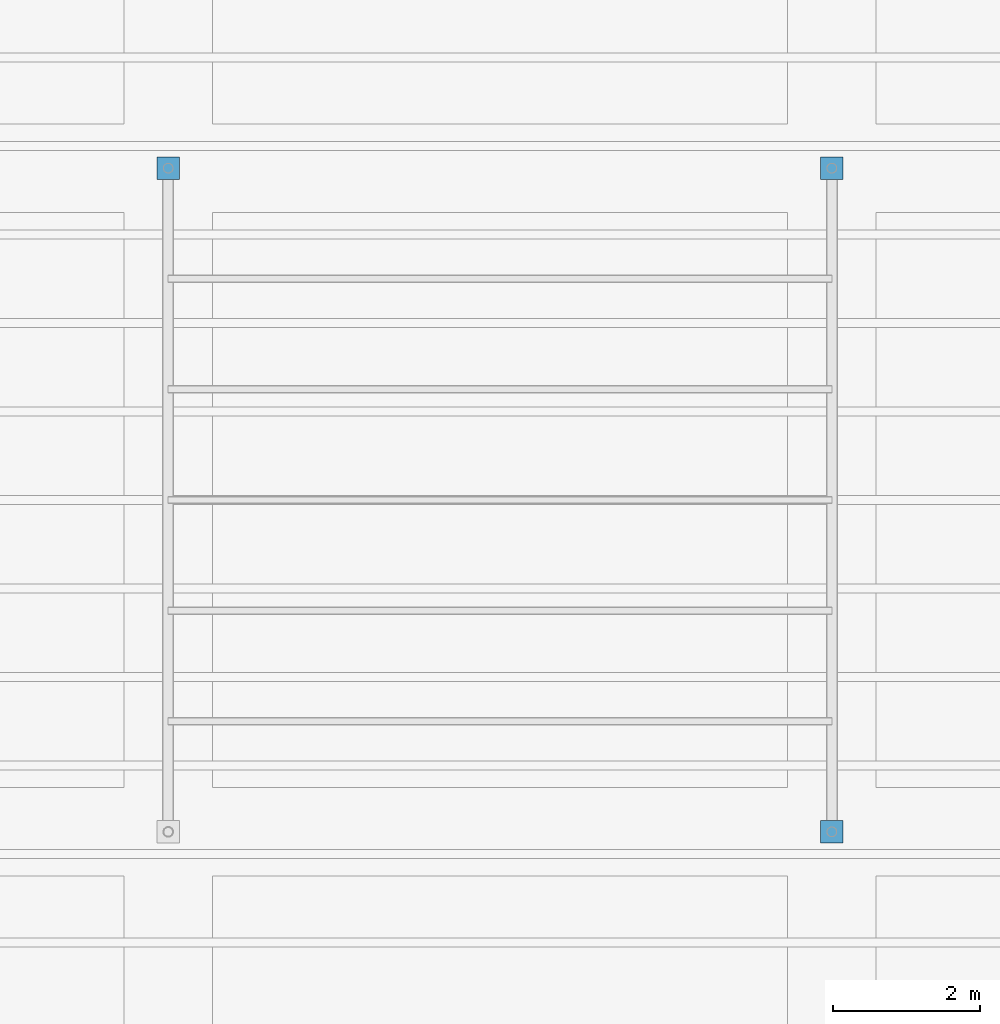
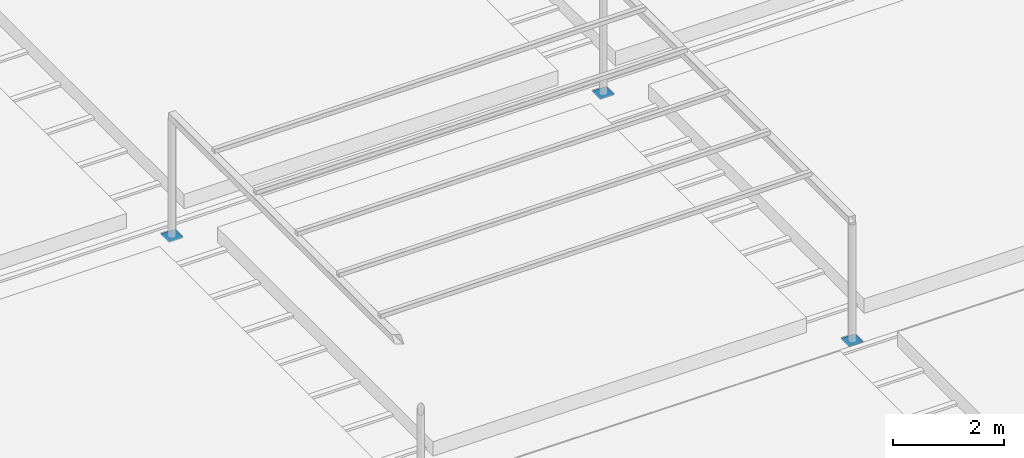
# One storey, part 130 of 153: 3 discrete accessories.
"""IFC4 building model written with IfcOpenShell, lengths in metres."""

from ifc_helpers import new_model, si_unit, direction, frame, origin, origin_2d, place, context, subcontext, project, spatial, rectangle, extrude, material, type_object, element, save


model = new_model("IFC4")

# Units and contexts
model_context = context("Model", 3, precision=1e-05, world=origin(), true_north=direction((0.0, 1.0)))
body_context = subcontext(model_context, "Body", "Model", "MODEL_VIEW")
ifc_project = project(units=[si_unit("LENGTHUNIT", "METRE"), si_unit("AREAUNIT", "SQUARE_METRE"), si_unit("VOLUMEUNIT", "CUBIC_METRE"), si_unit("PLANEANGLEUNIT", "RADIAN"), si_unit("MASSUNIT", "GRAM", prefix="KILO")], contexts=[model_context])

# Site, building, storey
site_placement = place(None, origin())
site = spatial("IfcSite", under=ifc_project, at=site_placement, CompositionType="ELEMENT")
building_placement = place(site_placement, origin())
building = spatial("IfcBuilding", under=site, at=building_placement, Name="Baradari Gate Terminus", CompositionType="ELEMENT")
storey_placement = place(building_placement, frame((0.0, 0.0, 11.699951171875)))
storey = spatial("IfcBuildingStorey", under=building, at=storey_placement, Name="L02", CompositionType="ELEMENT", Elevation=11.699951171875)

# Discrete accessories
ifc_material = material(Name="Steel S355", Category="steel")
discrete_accessory_type = type_object("IfcDiscreteAccessoryType", Name="Pergola base plate PGP-1 300x300x12", PredefinedType="BRACKET", material=ifc_material)
for number, where, z_axis, x_axis, name in (
    (1, (198.0, 90.0, 0.0), (0.0, 0.0, 1.0), (1.0, 0.0, 0.0), "Pergola base plate E1"),
    (2, (198.0, 99.0, 0.0), (0.0, 0.0, 1.0), (1.0, 0.0, 0.0), "Pergola base plate E1"),
    (3, (189.0, 99.0, 0.0), (0.0, 0.0, 1.0), (1.0, 0.0, 0.0), "Pergola base plate E1"),
):
    element("IfcDiscreteAccessory", number, at=place(storey_placement, frame(where, z_axis=z_axis, x_axis=x_axis)), inside=storey, type_object=discrete_accessory_type, Name=name, PredefinedType="BRACKET", context=body_context, shape_type="SweptSolid", body=[
        extrude(rectangle(XDim=0.300048828125, YDim=0.300048828125, at=origin_2d()), origin(), (0.0, 0.0, 1.0), 0.011962890625),
    ])

save(model, "model.ifc")
